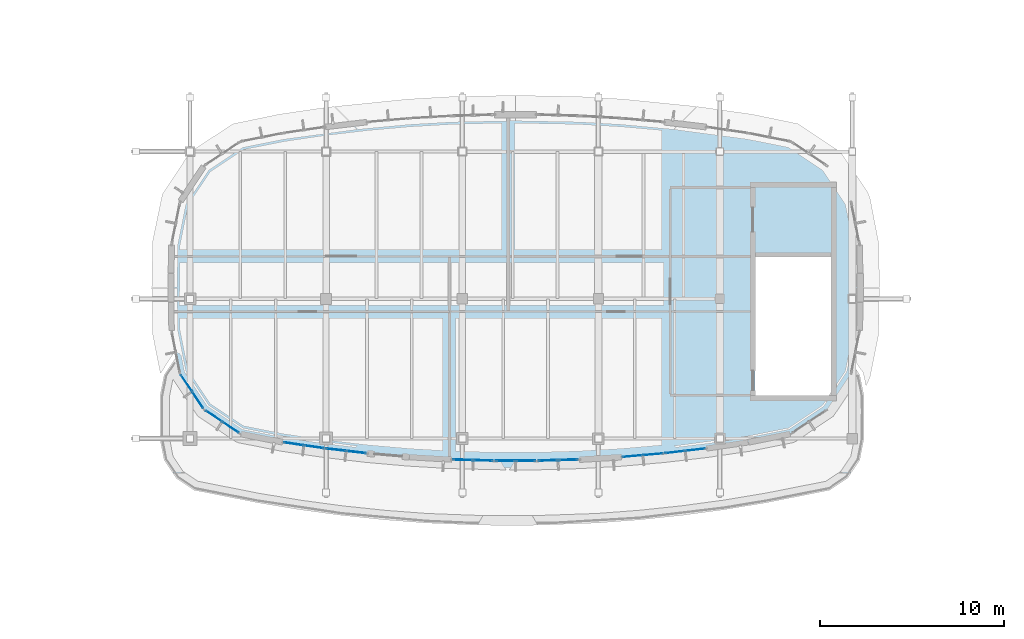
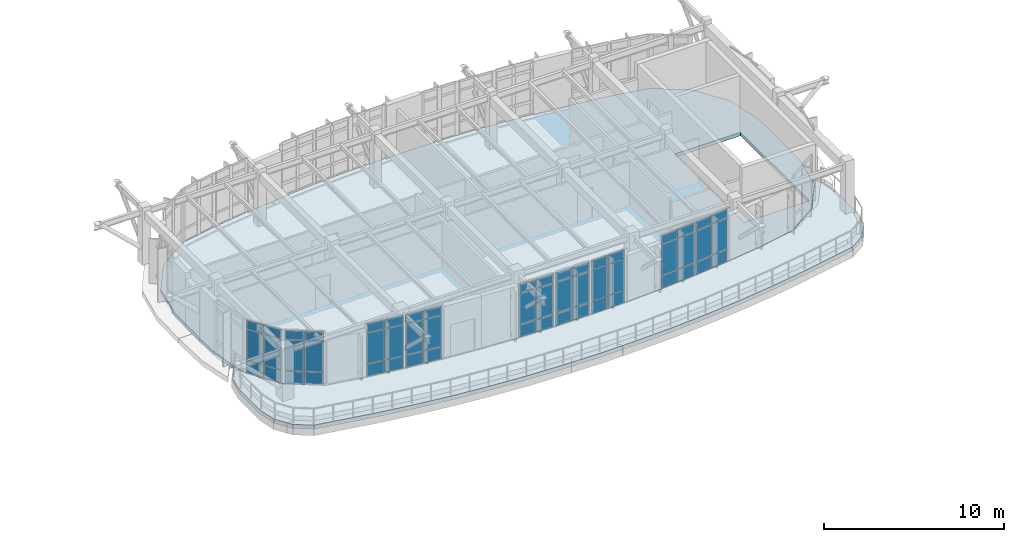
# One storey, part 63 of 105: 54 plates, 2 slabs, 9 elements without a shape of their own.
"""IFC4 building model written with IfcOpenShell, lengths in metres."""

from ifc_helpers import new_model, si_unit, direction, frame, origin, origin_2d, place, context, subcontext, project, spatial, polyline, rectangle, outline, extrude, material, layer, layer_set, type_object, element, aggregate, save


model = new_model("IFC4")

# Units and contexts
model_context = context("Model", 3, precision=1e-05, world=origin(), true_north=direction((0.0, 1.0)))
body_context = subcontext(model_context, "Body", "Model", "MODEL_VIEW")
ifc_project = project(units=[si_unit("LENGTHUNIT", "METRE"), si_unit("AREAUNIT", "SQUARE_METRE"), si_unit("VOLUMEUNIT", "CUBIC_METRE"), si_unit("PLANEANGLEUNIT", "RADIAN"), si_unit("MASSUNIT", "GRAM", prefix="KILO")], contexts=[model_context])

# Site, building, storey
site_placement = place(None, origin())
site = spatial("IfcSite", under=ifc_project, at=site_placement, CompositionType="ELEMENT")
building_placement = place(site_placement, origin())
building = spatial("IfcBuilding", under=site, at=building_placement, Name="Corveleigh Park Community Centre", CompositionType="ELEMENT")
storey_placement = place(building_placement, frame((0.0, 0.0, 8.699951171875)))
storey = spatial("IfcBuildingStorey", under=building, at=storey_placement, Name="L02", CompositionType="ELEMENT", Elevation=8.699951171875)

# Curtain wall, plates
ifc_material_1 = material(Name="Anodised aluminium 6063-T6", Category="aluminium")
curtain_wall_type = type_object("IfcCurtainWallType", Name="CW-SYS-V3-UPP", PredefinedType="NOTDEFINED", material=ifc_material_1)
curtain_wall_1_placement = place(storey_placement, origin())
curtain_wall_1 = element("IfcCurtainWall", 1, at=curtain_wall_1_placement, inside=storey, type_object=curtain_wall_type, Name="V3 L02 Curtain Wall 337", PredefinedType="NOTDEFINED")
ifc_material_2 = material(Name="Low-E double glazing", Category="glass")
ifc_layer_1 = layer(ifc_material_2, 0.02392578125, Name="Low-E double glazing", Category="glass")
ifc_layer_set_1 = layer_set([ifc_layer_1], Name="Low-E double glazing")
plate_type_1 = type_object("IfcPlateType", Name="CWP-GLZ-24", PredefinedType="CURTAIN_PANEL", material=ifc_layer_set_1)
plate_1_placement = place(storey_placement, frame((97.177001953125, 10.34375, 0.06494140625), z_axis=(0.0, 0.0, 1.0), x_axis=(-0.996188034285, -0.0872318769, 0.0)))
plate_1 = element("IfcPlate", 2, at=plate_1_placement, type_object=plate_type_1, Name="CW06 panel 1.1", PredefinedType="CURTAIN_PANEL", context=body_context, shape_type="SweptSolid", body=[
    extrude(rectangle(XDim=1.056396484375, YDim=0.02392578125, at=origin_2d()), origin(), (0.0, 0.0, 1.0), 0.802490234375),
])
plate_2_placement = place(storey_placement, frame((97.177001953125, 10.34375, 0.9326171875), z_axis=(0.0, 0.0, 1.0), x_axis=(-0.996188034285, -0.0872318769, 0.0)))
plate_2 = element("IfcPlate", 3, at=plate_2_placement, type_object=plate_type_1, Name="CW06 panel 1.2", PredefinedType="CURTAIN_PANEL", context=body_context, shape_type="SweptSolid", body=[
    extrude(rectangle(XDim=1.056396484375, YDim=0.02392578125, at=origin_2d()), origin(), (0.0, 0.0, 1.0), 2.049072265625),
])
plate_3_placement = place(storey_placement, frame((97.177001953125, 10.34375, 3.04638671875), z_axis=(0.0, 0.0, 1.0), x_axis=(-0.996188034285, -0.0872318769, 0.0)))
plate_3 = element("IfcPlate", 4, at=plate_3_placement, type_object=plate_type_1, Name="CW06 panel 1.3", PredefinedType="CURTAIN_PANEL", context=body_context, shape_type="SweptSolid", body=[
    extrude(rectangle(XDim=1.056396484375, YDim=0.02392578125, at=origin_2d()), origin(), (0.0, 0.0, 1.0), 0.552490234375),
])
plate_4_placement = place(storey_placement, frame((96.06494140625, 10.246337890625, 0.06494140625), z_axis=(0.0, 0.0, 1.0), x_axis=(-0.996188034285, -0.0872318769, 0.0)))
plate_4 = element("IfcPlate", 5, at=plate_4_placement, type_object=plate_type_1, Name="CW06 panel 2.1", PredefinedType="CURTAIN_PANEL", context=body_context, shape_type="SweptSolid", body=[
    extrude(rectangle(XDim=1.056396484375, YDim=0.02392578125, at=origin_2d()), origin(), (0.0, 0.0, 1.0), 0.802490234375),
])
plate_5_placement = place(storey_placement, frame((96.06494140625, 10.246337890625, 0.9326171875), z_axis=(0.0, 0.0, 1.0), x_axis=(-0.996188034285, -0.0872318769, 0.0)))
plate_5 = element("IfcPlate", 6, at=plate_5_placement, type_object=plate_type_1, Name="CW06 panel 2.2", PredefinedType="CURTAIN_PANEL", context=body_context, shape_type="SweptSolid", body=[
    extrude(rectangle(XDim=1.056396484375, YDim=0.02392578125, at=origin_2d()), origin(), (0.0, 0.0, 1.0), 2.049072265625),
])
plate_6_placement = place(storey_placement, frame((96.06494140625, 10.246337890625, 3.04638671875), z_axis=(0.0, 0.0, 1.0), x_axis=(-0.996188034285, -0.0872318769, 0.0)))
plate_6 = element("IfcPlate", 7, at=plate_6_placement, type_object=plate_type_1, Name="CW06 panel 2.3", PredefinedType="CURTAIN_PANEL", context=body_context, shape_type="SweptSolid", body=[
    extrude(rectangle(XDim=1.056396484375, YDim=0.02392578125, at=origin_2d()), origin(), (0.0, 0.0, 1.0), 0.552490234375),
])
aggregate(curtain_wall_1, [plate_1, plate_2, plate_3, plate_4, plate_5, plate_6])

curtain_wall_2_placement = place(storey_placement, origin())
curtain_wall_2 = element("IfcCurtainWall", 8, at=curtain_wall_2_placement, inside=storey, type_object=curtain_wall_type, Name="V3 L02 Curtain Wall 338", PredefinedType="NOTDEFINED")
plate_7_placement = place(storey_placement, frame((99.471923828125, 10.595458984375, 0.070068359375), z_axis=(0.0, 0.0, 1.0), x_axis=(-0.993189272468, -0.116512098316, 0.0)))
plate_7 = element("IfcPlate", 9, at=plate_7_placement, type_object=plate_type_1, Name="CW06 panel 1.1", PredefinedType="CURTAIN_PANEL", context=body_context, shape_type="SweptSolid", body=[
    extrude(rectangle(XDim=1.04833984375, YDim=0.02392578125, at=origin_2d()), origin(), (0.0, 0.0, 1.0), 0.794921875),
])
plate_8_placement = place(storey_placement, frame((99.471923828125, 10.595458984375, 0.93505859375), z_axis=(0.0, 0.0, 1.0), x_axis=(-0.993189272468, -0.116512098316, 0.0)))
plate_8 = element("IfcPlate", 10, at=plate_8_placement, type_object=plate_type_1, Name="CW06 panel 1.2", PredefinedType="CURTAIN_PANEL", context=body_context, shape_type="SweptSolid", body=[
    extrude(rectangle(XDim=1.04833984375, YDim=0.02392578125, at=origin_2d()), origin(), (0.0, 0.0, 1.0), 2.0439453125),
])
plate_9_placement = place(storey_placement, frame((99.471923828125, 10.595458984375, 3.049072265625), z_axis=(0.0, 0.0, 1.0), x_axis=(-0.993189272468, -0.116512098316, 0.0)))
plate_9 = element("IfcPlate", 11, at=plate_9_placement, type_object=plate_type_1, Name="CW06 panel 1.3", PredefinedType="CURTAIN_PANEL", context=body_context, shape_type="SweptSolid", body=[
    extrude(rectangle(XDim=1.04833984375, YDim=0.02392578125, at=origin_2d()), origin(), (0.0, 0.0, 1.0), 0.544921875),
])
plate_10_placement = place(storey_placement, frame((98.3662109375, 10.465576171875, 0.070068359375), z_axis=(0.0, 0.0, 1.0), x_axis=(-0.993189272468, -0.116512098316, 0.0)))
plate_10 = element("IfcPlate", 12, at=plate_10_placement, type_object=plate_type_1, Name="CW06 panel 2.1", PredefinedType="CURTAIN_PANEL", context=body_context, shape_type="SweptSolid", body=[
    extrude(rectangle(XDim=1.04833984375, YDim=0.02392578125, at=origin_2d()), origin(), (0.0, 0.0, 1.0), 0.794921875),
])
plate_11_placement = place(storey_placement, frame((98.3662109375, 10.465576171875, 0.93505859375), z_axis=(0.0, 0.0, 1.0), x_axis=(-0.993189272468, -0.116512098316, 0.0)))
plate_11 = element("IfcPlate", 13, at=plate_11_placement, type_object=plate_type_1, Name="CW06 panel 2.2", PredefinedType="CURTAIN_PANEL", context=body_context, shape_type="SweptSolid", body=[
    extrude(rectangle(XDim=1.04833984375, YDim=0.02392578125, at=origin_2d()), origin(), (0.0, 0.0, 1.0), 2.0439453125),
])
plate_12_placement = place(storey_placement, frame((98.3662109375, 10.465576171875, 3.049072265625), z_axis=(0.0, 0.0, 1.0), x_axis=(-0.993189272468, -0.116512098316, 0.0)))
plate_12 = element("IfcPlate", 14, at=plate_12_placement, type_object=plate_type_1, Name="CW06 panel 2.3", PredefinedType="CURTAIN_PANEL", context=body_context, shape_type="SweptSolid", body=[
    extrude(rectangle(XDim=1.04833984375, YDim=0.02392578125, at=origin_2d()), origin(), (0.0, 0.0, 1.0), 0.544921875),
])
aggregate(curtain_wall_2, [plate_7, plate_8, plate_9, plate_10, plate_11, plate_12])

curtain_wall_3_placement = place(storey_placement, origin())
curtain_wall_3 = element("IfcCurtainWall", 15, at=curtain_wall_3_placement, inside=storey, type_object=curtain_wall_type, Name="V3 L02 Curtain Wall 332", PredefinedType="NOTDEFINED")
ifc_layer_2 = layer(ifc_material_2, 0.035888671875, Name="Low-E double glazing", Category="glass")
ifc_layer_set_2 = layer_set([ifc_layer_2], Name="Low-E double glazing")
plate_type_2 = type_object("IfcPlateType", Name="CWP-GLZ-36", PredefinedType="CURTAIN_PANEL", material=ifc_layer_set_2)
plate_13_placement = place(storey_placement, frame((78.742431640625, 10.75146484375, 0.06494140625), z_axis=(0.0, 0.0, 1.0), x_axis=(-0.989436636628, 0.144966003251, 0.0)))
plate_13 = element("IfcPlate", 16, at=plate_13_placement, type_object=plate_type_2, Name="CW06 panel 1.1", PredefinedType="CURTAIN_PANEL", context=body_context, shape_type="SweptSolid", body=[
    extrude(rectangle(XDim=1.047607421875, YDim=0.035888671875, at=origin_2d()), origin(), (0.0, 0.0, 1.0), 0.802490234375),
])
plate_14_placement = place(storey_placement, frame((78.742431640625, 10.75146484375, 0.9326171875), z_axis=(0.0, 0.0, 1.0), x_axis=(-0.989436636628, 0.144966003251, 0.0)))
plate_14 = element("IfcPlate", 17, at=plate_14_placement, type_object=plate_type_2, Name="CW06 panel 1.2", PredefinedType="CURTAIN_PANEL", context=body_context, shape_type="SweptSolid", body=[
    extrude(rectangle(XDim=1.047607421875, YDim=0.035888671875, at=origin_2d()), origin(), (0.0, 0.0, 1.0), 2.049072265625),
])
plate_15_placement = place(storey_placement, frame((78.742431640625, 10.75146484375, 3.04638671875), z_axis=(0.0, 0.0, 1.0), x_axis=(-0.989436636628, 0.144966003251, 0.0)))
plate_15 = element("IfcPlate", 18, at=plate_15_placement, type_object=plate_type_2, Name="CW06 panel 1.3", PredefinedType="CURTAIN_PANEL", context=body_context, shape_type="SweptSolid", body=[
    extrude(rectangle(XDim=1.047607421875, YDim=0.035888671875, at=origin_2d()), origin(), (0.0, 0.0, 1.0), 0.552490234375),
])
plate_16_placement = place(storey_placement, frame((77.6416015625, 10.91259765625, 0.06494140625), z_axis=(0.0, 0.0, 1.0), x_axis=(-0.989436636628, 0.144966003251, 0.0)))
plate_16 = element("IfcPlate", 19, at=plate_16_placement, type_object=plate_type_2, Name="CW06 panel 2.1", PredefinedType="CURTAIN_PANEL", context=body_context, shape_type="SweptSolid", body=[
    extrude(rectangle(XDim=1.047607421875, YDim=0.035888671875, at=origin_2d()), origin(), (0.0, 0.0, 1.0), 0.802490234375),
])
plate_17_placement = place(storey_placement, frame((77.6416015625, 10.91259765625, 0.9326171875), z_axis=(0.0, 0.0, 1.0), x_axis=(-0.989436636628, 0.144966003251, 0.0)))
plate_17 = element("IfcPlate", 20, at=plate_17_placement, type_object=plate_type_2, Name="CW06 panel 2.2", PredefinedType="CURTAIN_PANEL", context=body_context, shape_type="SweptSolid", body=[
    extrude(rectangle(XDim=1.047607421875, YDim=0.035888671875, at=origin_2d()), origin(), (0.0, 0.0, 1.0), 2.049072265625),
])
plate_18_placement = place(storey_placement, frame((77.6416015625, 10.91259765625, 3.04638671875), z_axis=(0.0, 0.0, 1.0), x_axis=(-0.989436636628, 0.144966003251, 0.0)))
plate_18 = element("IfcPlate", 21, at=plate_18_placement, type_object=plate_type_2, Name="CW06 panel 2.3", PredefinedType="CURTAIN_PANEL", context=body_context, shape_type="SweptSolid", body=[
    extrude(rectangle(XDim=1.047607421875, YDim=0.035888671875, at=origin_2d()), origin(), (0.0, 0.0, 1.0), 0.552490234375),
])
aggregate(curtain_wall_3, [plate_13, plate_14, plate_15, plate_16, plate_17, plate_18])

curtain_wall_4_placement = place(storey_placement, origin())
curtain_wall_4 = element("IfcCurtainWall", 22, at=curtain_wall_4_placement, inside=storey, type_object=curtain_wall_type, Name="V3 L02 Curtain Wall 356", PredefinedType="NOTDEFINED")
plate_19_placement = place(storey_placement, frame((72.421630859375, 13.293701171875, 0.06005859375), z_axis=(0.0, 0.0, 1.0), x_axis=(-0.55520812197, 0.831711453149, 0.0)))
plate_19 = element("IfcPlate", 23, at=plate_19_placement, type_object=plate_type_2, Name="CW06 panel 1.1", PredefinedType="CURTAIN_PANEL", context=body_context, shape_type="SweptSolid", body=[
    extrude(rectangle(XDim=1.0380859375, YDim=0.035888671875, at=origin_2d()), origin(), (0.0, 0.0, 1.0), 0.81005859375),
])
plate_20_placement = place(storey_placement, frame((72.421630859375, 13.293701171875, 0.93017578125), z_axis=(0.0, 0.0, 1.0), x_axis=(-0.55520812197, 0.831711453149, 0.0)))
plate_20 = element("IfcPlate", 24, at=plate_20_placement, type_object=plate_type_2, Name="CW06 panel 1.2", PredefinedType="CURTAIN_PANEL", context=body_context, shape_type="SweptSolid", body=[
    extrude(rectangle(XDim=1.0380859375, YDim=0.035888671875, at=origin_2d()), origin(), (0.0, 0.0, 1.0), 2.053955078125),
])
plate_21_placement = place(storey_placement, frame((72.421630859375, 13.293701171875, 3.0439453125), z_axis=(0.0, 0.0, 1.0), x_axis=(-0.55520812197, 0.831711453149, 0.0)))
plate_21 = element("IfcPlate", 25, at=plate_21_placement, type_object=plate_type_2, Name="CW06 panel 1.3", PredefinedType="CURTAIN_PANEL", context=body_context, shape_type="SweptSolid", body=[
    extrude(rectangle(XDim=1.0380859375, YDim=0.035888671875, at=origin_2d()), origin(), (0.0, 0.0, 1.0), 0.56005859375),
])
plate_22_placement = place(storey_placement, frame((71.809326171875, 14.211181640625, 0.06005859375), z_axis=(0.0, 0.0, 1.0), x_axis=(-0.55520812197, 0.831711453149, 0.0)))
plate_22 = element("IfcPlate", 26, at=plate_22_placement, type_object=plate_type_2, Name="CW06 panel 2.1", PredefinedType="CURTAIN_PANEL", context=body_context, shape_type="SweptSolid", body=[
    extrude(rectangle(XDim=1.0380859375, YDim=0.035888671875, at=origin_2d()), origin(), (0.0, 0.0, 1.0), 0.81005859375),
])
plate_23_placement = place(storey_placement, frame((71.809326171875, 14.211181640625, 0.93017578125), z_axis=(0.0, 0.0, 1.0), x_axis=(-0.55520812197, 0.831711453149, 0.0)))
plate_23 = element("IfcPlate", 27, at=plate_23_placement, type_object=plate_type_2, Name="CW06 panel 2.2", PredefinedType="CURTAIN_PANEL", context=body_context, shape_type="SweptSolid", body=[
    extrude(rectangle(XDim=1.0380859375, YDim=0.035888671875, at=origin_2d()), origin(), (0.0, 0.0, 1.0), 2.053955078125),
])
plate_24_placement = place(storey_placement, frame((71.809326171875, 14.211181640625, 3.0439453125), z_axis=(0.0, 0.0, 1.0), x_axis=(-0.55520812197, 0.831711453149, 0.0)))
plate_24 = element("IfcPlate", 28, at=plate_24_placement, type_object=plate_type_2, Name="CW06 panel 2.3", PredefinedType="CURTAIN_PANEL", context=body_context, shape_type="SweptSolid", body=[
    extrude(rectangle(XDim=1.0380859375, YDim=0.035888671875, at=origin_2d()), origin(), (0.0, 0.0, 1.0), 0.56005859375),
])
aggregate(curtain_wall_4, [plate_19, plate_20, plate_21, plate_22, plate_23, plate_24])

curtain_wall_5_placement = place(storey_placement, origin())
curtain_wall_5 = element("IfcCurtainWall", 29, at=curtain_wall_5_placement, inside=storey, type_object=curtain_wall_type, Name="V3 L02 Curtain Wall 333", PredefinedType="NOTDEFINED")
ifc_layer_3 = layer(ifc_material_2, 0.0400390625, Name="Low-E double glazing", Category="glass")
ifc_layer_set_3 = layer_set([ifc_layer_3], Name="Low-E double glazing")
plate_type_3 = type_object("IfcPlateType", Name="CWP-GLZ-40", PredefinedType="CURTAIN_PANEL", material=ifc_layer_set_3)
plate_25_placement = place(storey_placement, frame((81.03271484375, 10.4658203125, 0.070068359375), z_axis=(0.0, 0.0, 1.0), x_axis=(-0.993189272468, 0.116512098316, 0.0)))
plate_25 = element("IfcPlate", 30, at=plate_25_placement, type_object=plate_type_3, Name="CW06 panel 1.1", PredefinedType="CURTAIN_PANEL", context=body_context, shape_type="SweptSolid", body=[
    extrude(rectangle(XDim=1.040771484375, YDim=0.0400390625, at=origin_2d()), origin(), (0.0, 0.0, 1.0), 0.794921875),
])
plate_26_placement = place(storey_placement, frame((81.03271484375, 10.4658203125, 0.93505859375), z_axis=(0.0, 0.0, 1.0), x_axis=(-0.993189272468, 0.116512098316, 0.0)))
plate_26 = element("IfcPlate", 31, at=plate_26_placement, type_object=plate_type_3, Name="CW06 panel 1.2", PredefinedType="CURTAIN_PANEL", context=body_context, shape_type="SweptSolid", body=[
    extrude(rectangle(XDim=1.040771484375, YDim=0.0400390625, at=origin_2d()), origin(), (0.0, 0.0, 1.0), 2.0439453125),
])
plate_27_placement = place(storey_placement, frame((81.03271484375, 10.4658203125, 3.049072265625), z_axis=(0.0, 0.0, 1.0), x_axis=(-0.993189272468, 0.116512098316, 0.0)))
plate_27 = element("IfcPlate", 32, at=plate_27_placement, type_object=plate_type_3, Name="CW06 panel 1.3", PredefinedType="CURTAIN_PANEL", context=body_context, shape_type="SweptSolid", body=[
    extrude(rectangle(XDim=1.040771484375, YDim=0.0400390625, at=origin_2d()), origin(), (0.0, 0.0, 1.0), 0.544921875),
])
plate_28_placement = place(storey_placement, frame((79.929443359375, 10.59521484375, 0.070068359375), z_axis=(0.0, 0.0, 1.0), x_axis=(-0.993189272468, 0.116512098316, 0.0)))
plate_28 = element("IfcPlate", 33, at=plate_28_placement, type_object=plate_type_3, Name="CW06 panel 2.1", PredefinedType="CURTAIN_PANEL", context=body_context, shape_type="SweptSolid", body=[
    extrude(rectangle(XDim=1.040771484375, YDim=0.0400390625, at=origin_2d()), origin(), (0.0, 0.0, 1.0), 0.794921875),
])
plate_29_placement = place(storey_placement, frame((79.929443359375, 10.59521484375, 0.93505859375), z_axis=(0.0, 0.0, 1.0), x_axis=(-0.993189272468, 0.116512098316, 0.0)))
plate_29 = element("IfcPlate", 34, at=plate_29_placement, type_object=plate_type_3, Name="CW06 panel 2.2", PredefinedType="CURTAIN_PANEL", context=body_context, shape_type="SweptSolid", body=[
    extrude(rectangle(XDim=1.040771484375, YDim=0.0400390625, at=origin_2d()), origin(), (0.0, 0.0, 1.0), 2.0439453125),
])
plate_30_placement = place(storey_placement, frame((79.929443359375, 10.59521484375, 3.049072265625), z_axis=(0.0, 0.0, 1.0), x_axis=(-0.993189272468, 0.116512098316, 0.0)))
plate_30 = element("IfcPlate", 35, at=plate_30_placement, type_object=plate_type_3, Name="CW06 panel 2.3", PredefinedType="CURTAIN_PANEL", context=body_context, shape_type="SweptSolid", body=[
    extrude(rectangle(XDim=1.040771484375, YDim=0.0400390625, at=origin_2d()), origin(), (0.0, 0.0, 1.0), 0.544921875),
])
aggregate(curtain_wall_5, [plate_25, plate_26, plate_27, plate_28, plate_29, plate_30])

curtain_wall_6_placement = place(storey_placement, origin())
curtain_wall_6 = element("IfcCurtainWall", 36, at=curtain_wall_6_placement, inside=storey, type_object=curtain_wall_type, Name="V3 L02 Curtain Wall 334", PredefinedType="NOTDEFINED")
plate_31_placement = place(storey_placement, frame((87.944580078125, 10.01025390625, 0.074951171875), z_axis=(0.0, 0.0, 1.0), x_axis=(-0.999572642861, 0.029232373224, 0.0)))
plate_31 = element("IfcPlate", 37, at=plate_31_placement, type_object=plate_type_3, Name="CW06 panel 1.1", PredefinedType="CURTAIN_PANEL", context=body_context, shape_type="SweptSolid", body=[
    extrude(rectangle(XDim=1.033447265625, YDim=0.0400390625, at=origin_2d()), origin(), (0.0, 0.0, 1.0), 0.78759765625),
])
plate_32_placement = place(storey_placement, frame((87.944580078125, 10.01025390625, 0.9375), z_axis=(0.0, 0.0, 1.0), x_axis=(-0.999572642861, 0.029232373224, 0.0)))
plate_32 = element("IfcPlate", 38, at=plate_32_placement, type_object=plate_type_3, Name="CW06 panel 1.2", PredefinedType="CURTAIN_PANEL", context=body_context, shape_type="SweptSolid", body=[
    extrude(rectangle(XDim=1.033447265625, YDim=0.0400390625, at=origin_2d()), origin(), (0.0, 0.0, 1.0), 2.0390625),
])
plate_33_placement = place(storey_placement, frame((87.944580078125, 10.01025390625, 3.051513671875), z_axis=(0.0, 0.0, 1.0), x_axis=(-0.999572642861, 0.029232373224, 0.0)))
plate_33 = element("IfcPlate", 39, at=plate_33_placement, type_object=plate_type_3, Name="CW06 panel 1.3", PredefinedType="CURTAIN_PANEL", context=body_context, shape_type="SweptSolid", body=[
    extrude(rectangle(XDim=1.033447265625, YDim=0.0400390625, at=origin_2d()), origin(), (0.0, 0.0, 1.0), 0.53759765625),
])
plate_34_placement = place(storey_placement, frame((86.83642578125, 10.042724609375, 0.074951171875), z_axis=(0.0, 0.0, 1.0), x_axis=(-0.999572642861, 0.029232373224, 0.0)))
plate_34 = element("IfcPlate", 40, at=plate_34_placement, type_object=plate_type_3, Name="CW06 panel 2.1", PredefinedType="CURTAIN_PANEL", context=body_context, shape_type="SweptSolid", body=[
    extrude(rectangle(XDim=1.033447265625, YDim=0.0400390625, at=origin_2d()), origin(), (0.0, 0.0, 1.0), 0.78759765625),
])
plate_35_placement = place(storey_placement, frame((86.83642578125, 10.042724609375, 0.9375), z_axis=(0.0, 0.0, 1.0), x_axis=(-0.999572642861, 0.029232373224, 0.0)))
plate_35 = element("IfcPlate", 41, at=plate_35_placement, type_object=plate_type_3, Name="CW06 panel 2.2", PredefinedType="CURTAIN_PANEL", context=body_context, shape_type="SweptSolid", body=[
    extrude(rectangle(XDim=1.033447265625, YDim=0.0400390625, at=origin_2d()), origin(), (0.0, 0.0, 1.0), 2.0390625),
])
plate_36_placement = place(storey_placement, frame((86.83642578125, 10.042724609375, 3.051513671875), z_axis=(0.0, 0.0, 1.0), x_axis=(-0.999572642861, 0.029232373224, 0.0)))
plate_36 = element("IfcPlate", 42, at=plate_36_placement, type_object=plate_type_3, Name="CW06 panel 2.3", PredefinedType="CURTAIN_PANEL", context=body_context, shape_type="SweptSolid", body=[
    extrude(rectangle(XDim=1.033447265625, YDim=0.0400390625, at=origin_2d()), origin(), (0.0, 0.0, 1.0), 0.53759765625),
])
aggregate(curtain_wall_6, [plate_31, plate_32, plate_33, plate_34, plate_35, plate_36])

curtain_wall_7_placement = place(storey_placement, origin())
curtain_wall_7 = element("IfcCurtainWall", 43, at=curtain_wall_7_placement, inside=storey, type_object=curtain_wall_type, Name="V3 L02 Curtain Wall 357", PredefinedType="NOTDEFINED")
plate_37_placement = place(storey_placement, frame((74.210205078125, 11.81005859375, 0.06494140625), z_axis=(0.0, 0.0, 1.0), x_axis=(-0.831711453149, 0.55520812197, 0.0)))
plate_37 = element("IfcPlate", 44, at=plate_37_placement, type_object=plate_type_3, Name="CW06 panel 1.1", PredefinedType="CURTAIN_PANEL", context=body_context, shape_type="SweptSolid", body=[
    extrude(rectangle(XDim=1.030517578125, YDim=0.0400390625, at=origin_2d()), origin(), (0.0, 0.0, 1.0), 0.802490234375),
])
plate_38_placement = place(storey_placement, frame((74.210205078125, 11.81005859375, 0.9326171875), z_axis=(0.0, 0.0, 1.0), x_axis=(-0.831711453149, 0.55520812197, 0.0)))
plate_38 = element("IfcPlate", 45, at=plate_38_placement, type_object=plate_type_3, Name="CW06 panel 1.2", PredefinedType="CURTAIN_PANEL", context=body_context, shape_type="SweptSolid", body=[
    extrude(rectangle(XDim=1.030517578125, YDim=0.0400390625, at=origin_2d()), origin(), (0.0, 0.0, 1.0), 2.049072265625),
])
plate_39_placement = place(storey_placement, frame((74.210205078125, 11.81005859375, 3.04638671875), z_axis=(0.0, 0.0, 1.0), x_axis=(-0.831711453149, 0.55520812197, 0.0)))
plate_39 = element("IfcPlate", 46, at=plate_39_placement, type_object=plate_type_3, Name="CW06 panel 1.3", PredefinedType="CURTAIN_PANEL", context=body_context, shape_type="SweptSolid", body=[
    extrude(rectangle(XDim=1.030517578125, YDim=0.0400390625, at=origin_2d()), origin(), (0.0, 0.0, 1.0), 0.552490234375),
])
plate_40_placement = place(storey_placement, frame((73.294921875, 12.421142578125, 0.06494140625), z_axis=(0.0, 0.0, 1.0), x_axis=(-0.831711453149, 0.55520812197, 0.0)))
plate_40 = element("IfcPlate", 47, at=plate_40_placement, type_object=plate_type_3, Name="CW06 panel 2.1", PredefinedType="CURTAIN_PANEL", context=body_context, shape_type="SweptSolid", body=[
    extrude(rectangle(XDim=1.030517578125, YDim=0.0400390625, at=origin_2d()), origin(), (0.0, 0.0, 1.0), 0.802490234375),
])
plate_41_placement = place(storey_placement, frame((73.294921875, 12.421142578125, 0.9326171875), z_axis=(0.0, 0.0, 1.0), x_axis=(-0.831711453149, 0.55520812197, 0.0)))
plate_41 = element("IfcPlate", 48, at=plate_41_placement, type_object=plate_type_3, Name="CW06 panel 2.2", PredefinedType="CURTAIN_PANEL", context=body_context, shape_type="SweptSolid", body=[
    extrude(rectangle(XDim=1.030517578125, YDim=0.0400390625, at=origin_2d()), origin(), (0.0, 0.0, 1.0), 2.049072265625),
])
plate_42_placement = place(storey_placement, frame((73.294921875, 12.421142578125, 3.04638671875), z_axis=(0.0, 0.0, 1.0), x_axis=(-0.831711453149, 0.55520812197, 0.0)))
plate_42 = element("IfcPlate", 49, at=plate_42_placement, type_object=plate_type_3, Name="CW06 panel 2.3", PredefinedType="CURTAIN_PANEL", context=body_context, shape_type="SweptSolid", body=[
    extrude(rectangle(XDim=1.030517578125, YDim=0.0400390625, at=origin_2d()), origin(), (0.0, 0.0, 1.0), 0.552490234375),
])
aggregate(curtain_wall_7, [plate_37, plate_38, plate_39, plate_40, plate_41, plate_42])

curtain_wall_8_placement = place(storey_placement, origin())
curtain_wall_8 = element("IfcCurtainWall", 50, at=curtain_wall_8_placement, inside=storey, type_object=curtain_wall_type, Name="V3 L02 Curtain Wall 335", PredefinedType="NOTDEFINED")
ifc_layer_4 = layer(ifc_material_2, 0.0439453125, Name="Low-E double glazing", Category="glass")
ifc_layer_set_4 = layer_set([ifc_layer_4], Name="Low-E double glazing")
plate_type_4 = type_object("IfcPlateType", Name="CWP-GLZ-44", PredefinedType="CURTAIN_PANEL", material=ifc_layer_set_4)
plate_43_placement = place(storey_placement, frame((90.2529296875, 9.992919921875, 0.080078125), z_axis=(0.0, 0.0, 1.0), x_axis=(-1.0, 0.0, 0.0)))
plate_43 = element("IfcPlate", 51, at=plate_43_placement, type_object=plate_type_4, Name="CW06 panel 1.1", PredefinedType="CURTAIN_PANEL", context=body_context, shape_type="SweptSolid", body=[
    extrude(rectangle(XDim=1.02587890625, YDim=0.0439453125, at=origin_2d()), origin(), (0.0, 0.0, 1.0), 0.780029296875),
])
plate_44_placement = place(storey_placement, frame((90.2529296875, 9.992919921875, 0.93994140625), z_axis=(0.0, 0.0, 1.0), x_axis=(-1.0, 0.0, 0.0)))
plate_44 = element("IfcPlate", 52, at=plate_44_placement, type_object=plate_type_4, Name="CW06 panel 1.2", PredefinedType="CURTAIN_PANEL", context=body_context, shape_type="SweptSolid", body=[
    extrude(rectangle(XDim=1.02587890625, YDim=0.0439453125, at=origin_2d()), origin(), (0.0, 0.0, 1.0), 2.033935546875),
])
plate_45_placement = place(storey_placement, frame((90.2529296875, 9.992919921875, 3.05419921875), z_axis=(0.0, 0.0, 1.0), x_axis=(-1.0, 0.0, 0.0)))
plate_45 = element("IfcPlate", 53, at=plate_45_placement, type_object=plate_type_4, Name="CW06 panel 1.3", PredefinedType="CURTAIN_PANEL", context=body_context, shape_type="SweptSolid", body=[
    extrude(rectangle(XDim=1.02587890625, YDim=0.0439453125, at=origin_2d()), origin(), (0.0, 0.0, 1.0), 0.530029296875),
])
plate_46_placement = place(storey_placement, frame((89.14697265625, 9.992919921875, 0.080078125), z_axis=(0.0, 0.0, 1.0), x_axis=(-1.0, 0.0, 0.0)))
plate_46 = element("IfcPlate", 54, at=plate_46_placement, type_object=plate_type_4, Name="CW06 panel 2.1", PredefinedType="CURTAIN_PANEL", context=body_context, shape_type="SweptSolid", body=[
    extrude(rectangle(XDim=1.02587890625, YDim=0.0439453125, at=origin_2d()), origin(), (0.0, 0.0, 1.0), 0.780029296875),
])
plate_47_placement = place(storey_placement, frame((89.14697265625, 9.992919921875, 0.93994140625), z_axis=(0.0, 0.0, 1.0), x_axis=(-1.0, 0.0, 0.0)))
plate_47 = element("IfcPlate", 55, at=plate_47_placement, type_object=plate_type_4, Name="CW06 panel 2.2", PredefinedType="CURTAIN_PANEL", context=body_context, shape_type="SweptSolid", body=[
    extrude(rectangle(XDim=1.02587890625, YDim=0.0439453125, at=origin_2d()), origin(), (0.0, 0.0, 1.0), 2.033935546875),
])
plate_48_placement = place(storey_placement, frame((89.14697265625, 9.992919921875, 3.05419921875), z_axis=(0.0, 0.0, 1.0), x_axis=(-1.0, 0.0, 0.0)))
plate_48 = element("IfcPlate", 56, at=plate_48_placement, type_object=plate_type_4, Name="CW06 panel 2.3", PredefinedType="CURTAIN_PANEL", context=body_context, shape_type="SweptSolid", body=[
    extrude(rectangle(XDim=1.02587890625, YDim=0.0439453125, at=origin_2d()), origin(), (0.0, 0.0, 1.0), 0.530029296875),
])
aggregate(curtain_wall_8, [plate_43, plate_44, plate_45, plate_46, plate_47, plate_48])

curtain_wall_9_placement = place(storey_placement, origin())
curtain_wall_9 = element("IfcCurtainWall", 57, at=curtain_wall_9_placement, inside=storey, type_object=curtain_wall_type, Name="V3 L02 Curtain Wall 336", PredefinedType="NOTDEFINED")
plate_49_placement = place(storey_placement, frame((92.56103515625, 10.042724609375, 0.06005859375), z_axis=(0.0, 0.0, 1.0), x_axis=(-0.999572642861, -0.029232373224, 0.0)))
plate_49 = element("IfcPlate", 58, at=plate_49_placement, type_object=plate_type_4, Name="CW06 panel 1.1", PredefinedType="CURTAIN_PANEL", context=body_context, shape_type="SweptSolid", body=[
    extrude(rectangle(XDim=1.0185546875, YDim=0.0439453125, at=origin_2d()), origin(), (0.0, 0.0, 1.0), 0.81005859375),
])
plate_50_placement = place(storey_placement, frame((92.56103515625, 10.042724609375, 0.93017578125), z_axis=(0.0, 0.0, 1.0), x_axis=(-0.999572642861, -0.029232373224, 0.0)))
plate_50 = element("IfcPlate", 59, at=plate_50_placement, type_object=plate_type_4, Name="CW06 panel 1.2", PredefinedType="CURTAIN_PANEL", context=body_context, shape_type="SweptSolid", body=[
    extrude(rectangle(XDim=1.0185546875, YDim=0.0439453125, at=origin_2d()), origin(), (0.0, 0.0, 1.0), 2.053955078125),
])
plate_51_placement = place(storey_placement, frame((92.56103515625, 10.042724609375, 3.0439453125), z_axis=(0.0, 0.0, 1.0), x_axis=(-0.999572642861, -0.029232373224, 0.0)))
plate_51 = element("IfcPlate", 60, at=plate_51_placement, type_object=plate_type_4, Name="CW06 panel 1.3", PredefinedType="CURTAIN_PANEL", context=body_context, shape_type="SweptSolid", body=[
    extrude(rectangle(XDim=1.0185546875, YDim=0.0439453125, at=origin_2d()), origin(), (0.0, 0.0, 1.0), 0.56005859375),
])
plate_52_placement = place(storey_placement, frame((91.4580078125, 10.01025390625, 0.06005859375), z_axis=(0.0, 0.0, 1.0), x_axis=(-0.999572642861, -0.029232373224, 0.0)))
plate_52 = element("IfcPlate", 61, at=plate_52_placement, type_object=plate_type_4, Name="CW06 panel 2.1", PredefinedType="CURTAIN_PANEL", context=body_context, shape_type="SweptSolid", body=[
    extrude(rectangle(XDim=1.0185546875, YDim=0.0439453125, at=origin_2d()), origin(), (0.0, 0.0, 1.0), 0.81005859375),
])
plate_53_placement = place(storey_placement, frame((91.4580078125, 10.01025390625, 0.93017578125), z_axis=(0.0, 0.0, 1.0), x_axis=(-0.999572642861, -0.029232373224, 0.0)))
plate_53 = element("IfcPlate", 62, at=plate_53_placement, type_object=plate_type_4, Name="CW06 panel 2.2", PredefinedType="CURTAIN_PANEL", context=body_context, shape_type="SweptSolid", body=[
    extrude(rectangle(XDim=1.0185546875, YDim=0.0439453125, at=origin_2d()), origin(), (0.0, 0.0, 1.0), 2.053955078125),
])
plate_54_placement = place(storey_placement, frame((91.4580078125, 10.01025390625, 3.0439453125), z_axis=(0.0, 0.0, 1.0), x_axis=(-0.999572642861, -0.029232373224, 0.0)))
plate_54 = element("IfcPlate", 63, at=plate_54_placement, type_object=plate_type_4, Name="CW06 panel 2.3", PredefinedType="CURTAIN_PANEL", context=body_context, shape_type="SweptSolid", body=[
    extrude(rectangle(XDim=1.0185546875, YDim=0.0439453125, at=origin_2d()), origin(), (0.0, 0.0, 1.0), 0.56005859375),
])
aggregate(curtain_wall_9, [plate_49, plate_50, plate_51, plate_52, plate_53, plate_54])

# Slabs
ifc_material_3 = material(Name="Concrete C32/40", Category="concrete")
ifc_layer_5 = layer(ifc_material_3, 0.235107421875, Name="Concrete C32/40", Category="concrete")
ifc_layer_set_5 = layer_set([ifc_layer_5], Name="Concrete C32/40")
slab_type_1 = type_object("IfcSlabType", Name="SLB-FLR-235", PredefinedType="FLOOR", material=ifc_layer_set_5)
slab_1_placement = place(storey_placement, frame((0.0, 0.0, -0.23486328125)))
element("IfcSlab", 64, at=slab_1_placement, inside=storey, type_object=slab_type_1, Name="V3 L02 floor slab", PredefinedType="FLOOR", context=body_context, shape_type="SweptSolid", body=[
    extrude(outline(polyline([(74.73388671875, 11.4599609375), (72.77099609375, 12.77099609375), (71.4599609375, 14.73388671875), (71.0, 17.048095703125), (70.968994140625, 18.615966796875), (71.0, 21.751953125), (71.4599609375, 24.06591796875), (72.77099609375, 26.029052734375), (74.73388671875, 27.340087890625), (77.048095703125, 27.800048828125), (79.333984375, 28.135009765625), (81.6279296875, 28.404052734375), (83.929931640625, 28.60595703125), (86.236083984375, 28.739990234375), (88.544921875, 28.806884765625), (90.85498046875, 28.806884765625), (93.1640625, 28.739990234375), (95.469970703125, 28.60595703125), (97.77197265625, 28.404052734375), (100.06591796875, 28.135009765625), (102.35205078125, 27.800048828125), (104.666015625, 27.340087890625), (106.62890625, 26.029052734375), (107.93994140625, 24.06591796875), (108.39990234375, 21.751953125), (108.430908203125, 20.18408203125), (108.39990234375, 17.048095703125), (107.93994140625, 14.73388671875), (106.62890625, 12.77099609375), (104.666015625, 11.4599609375), (102.35205078125, 11.0), (100.06591796875, 10.6650390625), (97.77197265625, 10.39599609375), (95.469970703125, 10.194091796875), (93.1640625, 10.06005859375), (90.85498046875, 9.992919921875), (88.544921875, 9.992919921875), (86.236083984375, 10.06005859375), (83.929931640625, 10.194091796875), (81.6279296875, 10.39599609375), (79.333984375, 10.6650390625), (77.048095703125, 11.0), (74.73388671875, 11.4599609375)]), holes=[polyline([(102.696044921875, 21.12890625), (102.696044921875, 13.49609375), (106.904052734375, 13.49609375), (106.904052734375, 21.12890625), (102.696044921875, 21.12890625)])]), origin(), (0.0, 0.0, 1.0), 0.23486328125),
])
ifc_layer_6 = layer(ifc_material_3, 0.27197265625, Name="Concrete C32/40", Category="concrete")
ifc_layer_set_6 = layer_set([ifc_layer_6], Name="Concrete C32/40")
slab_type_2 = type_object("IfcSlabType", Name="SLB-TER-272", PredefinedType="FLOOR", material=ifc_layer_set_6)
slab_2_placement = place(storey_placement, frame((0.0, 0.0, -0.27197265625)))
element("IfcSlab", 65, at=slab_2_placement, inside=storey, type_object=slab_type_2, Name="Park Outlook Seminar Terrace bay 1", PredefinedType="FLOOR", context=body_context, shape_type="SweptSolid", body=[
    extrude(outline(polyline([(108.373046875, 14.655029296875), (108.60009765625, 13.511962890625), (108.60791015625, 12.737060546875), (108.60009765625, 11.18798828125), (108.373046875, 10.044921875), (107.72509765625, 9.074951171875), (106.7548828125, 8.427001953125), (103.3369140625, 7.7529296875), (101.050048828125, 7.3740234375), (98.751953125, 7.06396484375), (96.446044921875, 6.822021484375), (94.134033203125, 6.64892578125), (91.818115234375, 6.5458984375), (89.5, 6.510986328125), (87.181884765625, 6.5458984375), (84.865966796875, 6.64892578125), (82.553955078125, 6.822021484375), (80.248046875, 7.06396484375), (77.949951171875, 7.3740234375), (75.6630859375, 7.7529296875), (72.2451171875, 8.427001953125), (71.27490234375, 9.074951171875), (70.626953125, 10.044921875), (70.39990234375, 11.18798828125), (70.39990234375, 13.511962890625), (70.626953125, 14.655029296875), (71.26904296875, 15.615966796875), (71.447021484375, 14.72705078125), (72.759033203125, 12.760986328125), (74.72998046875, 11.446044921875), (77.0458984375, 10.985107421875), (79.33203125, 10.64990234375), (81.6259765625, 10.381103515625), (83.928955078125, 10.178955078125), (86.236083984375, 10.044921875), (88.544921875, 9.97802734375), (90.85498046875, 9.97802734375), (93.1650390625, 10.044921875), (95.470947265625, 10.178955078125), (97.77294921875, 10.381103515625), (100.068115234375, 10.64990234375), (102.35400390625, 10.985107421875), (104.6689453125, 11.445068359375), (106.639892578125, 12.760009765625), (107.952880859375, 14.72705078125), (108.0390625, 15.155029296875), (108.373046875, 14.655029296875)])), origin(), (0.0, 0.0, 1.0), 0.27197265625),
])

save(model, "model.ifc")
